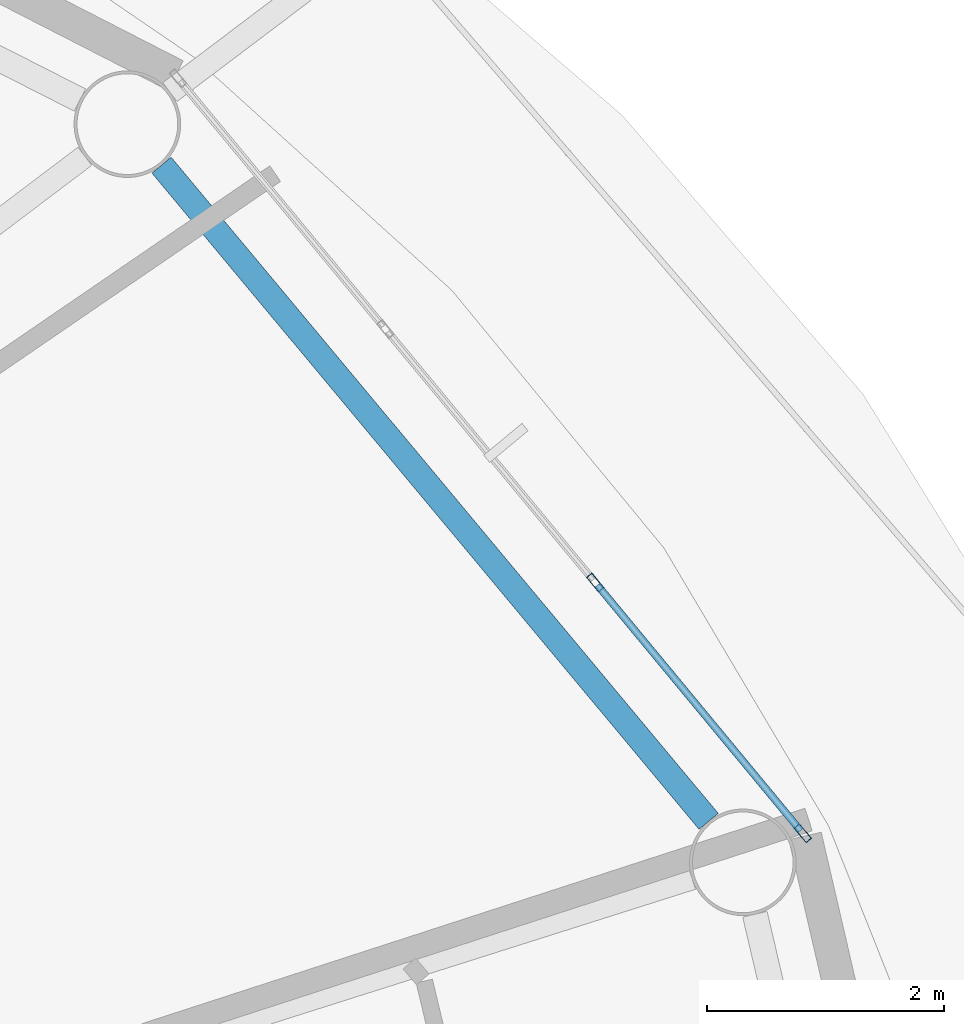
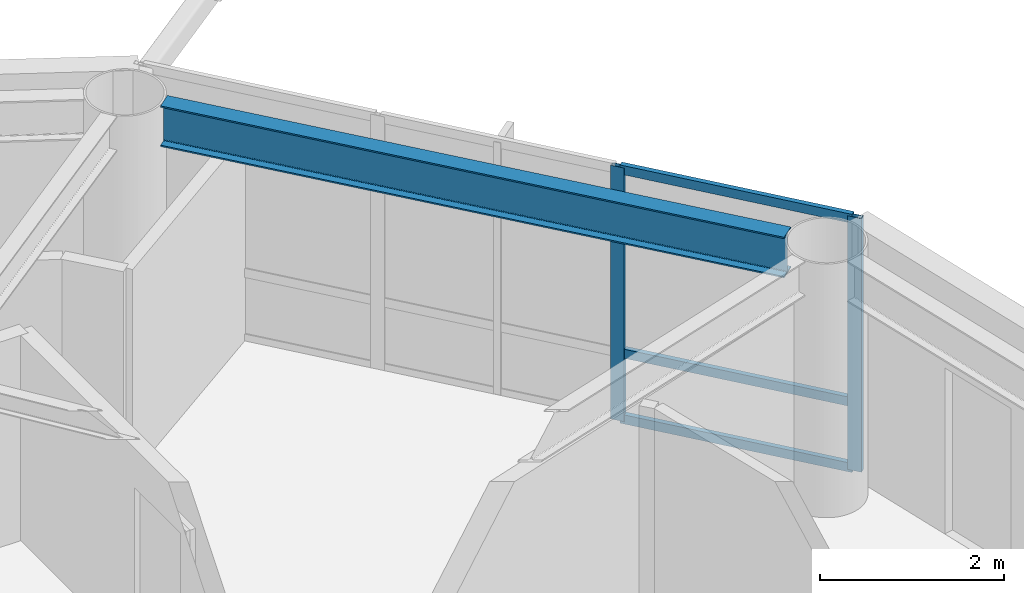
# One storey, part 7 of 23: 5 members, 1 beam, 1 element without a shape of its own.
"""IFC4 building model written with IfcOpenShell, lengths in metres."""

from ifc_helpers import new_model, si_unit, direction, frame, origin, origin_2d, place, context, subcontext, project, spatial, hollow_rectangle, i_section, extrude, material, layer, layer_set, material_profile, profile_set, type_object, element, aggregate, save


model = new_model("IFC4")

# Units and contexts
model_context = context("Model", 3, precision=1e-05, world=origin(), true_north=direction((0.0, 1.0)))
body_context = subcontext(model_context, "Body", "Model", "MODEL_VIEW")
ifc_project = project(units=[si_unit("LENGTHUNIT", "METRE"), si_unit("AREAUNIT", "SQUARE_METRE"), si_unit("VOLUMEUNIT", "CUBIC_METRE"), si_unit("PLANEANGLEUNIT", "RADIAN"), si_unit("MASSUNIT", "GRAM", prefix="KILO")], contexts=[model_context])

# Site, building, storey
site_placement = place(None, origin())
site = spatial("IfcSite", under=ifc_project, at=site_placement, CompositionType="ELEMENT")
building_placement = place(site_placement, origin())
building = spatial("IfcBuilding", under=site, at=building_placement, Name="Sarneth Arch Tower", CompositionType="ELEMENT")
storey_placement = place(building_placement, frame((0.0, 0.0, 217.199951171875)))
storey = spatial("IfcBuildingStorey", under=building, at=storey_placement, Name="L55", CompositionType="ELEMENT", Elevation=217.199951171875)

# Beam
ifc_material_1 = material(Name="Steel S355", Category="steel")
ifc_material_profile_1 = material_profile(ifc_material_1, i_section(OverallWidth=0.2109375, OverallDepth=0.5390625, WebThickness=0.01171875, FlangeThickness=0.018798828125, FilletRadius=0.01806640625, at=origin_2d()), Name="W530x109")
ifc_profile_set_1 = profile_set([ifc_material_profile_1], Name="Steel S355")
beam_type = type_object("IfcBeamType", Name="BM-RAD-530B", PredefinedType="BEAM", material=ifc_profile_set_1)
beam_placement = place(storey_placement, frame((70.880615234375, 49.693115234375, 3.090576171875), z_axis=(-0.640390876881, 0.768049168222, 0.0), x_axis=(-0.768049168222, -0.640390876881, 0.0)))
element("IfcBeam", 1, at=beam_placement, inside=storey, type_object=beam_type, Name="L55 Perimeter spandrel beam 02", PredefinedType="BEAM", context=body_context, shape_type="SweptSolid", body=[
    extrude(i_section(OverallWidth=0.2109375, OverallDepth=0.5390625, WebThickness=0.01171875, FlangeThickness=0.018798828125, FilletRadius=0.01806640625, at=origin_2d()), origin(), (0.0, 0.0, 1.0), 7.2099609375),
])

# Curtain wall, members
ifc_material_2 = material(Name="Anodised aluminium Type AA25 and solar-control low-e laminated IGU", Category="aluminium")
ifc_layer = layer(ifc_material_2, 0.179931640625)
ifc_layer_set = layer_set([ifc_layer], Name="Anodised aluminium Type AA25 and solar-control low-e laminated IGU")
curtain_wall_type = type_object("IfcCurtainWallType", Name="CW-RES-HIGH", PredefinedType="NOTDEFINED", material=ifc_layer_set)
curtain_wall_placement = place(storey_placement, origin())
curtain_wall = element("IfcCurtainWall", 2, at=curtain_wall_placement, inside=storey, type_object=curtain_wall_type, Name="L55 Unitised curtain wall facet 02", PredefinedType="NOTDEFINED")
ifc_material_3 = material(Name="Anodised Aluminium 6063-T6", Category="aluminium")
ifc_material_profile_2 = material_profile(ifc_material_3, hollow_rectangle(XDim=0.06005859375, YDim=0.159912109375, WallThickness=0.00390625, at=origin_2d()), Name="AL-MULL-160x60x4")
ifc_profile_set_2 = profile_set([ifc_material_profile_2], Name="Anodised Aluminium 6063-T6")
member_type_1 = type_object("IfcMemberType", Name="CW-MULLION", PredefinedType="MULLION", material=ifc_profile_set_2)
member_1_placement = place(storey_placement, frame((71.674560546875, 49.592529296875, 0.0), z_axis=(0.0, 0.0, 1.0), x_axis=(-0.770359245933, -0.637610094184, 0.0)))
member_1 = element("IfcMember", 3, at=member_1_placement, type_object=member_type_1, Name="CW-SYS-6 mullion 1", PredefinedType="MULLION", context=body_context, shape_type="SweptSolid", body=[
    extrude(hollow_rectangle(XDim=0.06005859375, YDim=0.159912109375, WallThickness=0.00390625, at=origin_2d()), origin(), (0.0, 0.0, 1.0), 3.360107421875),
])
member_2_placement = place(storey_placement, frame((69.92333984375, 51.70849609375, 0.0), z_axis=(0.0, 0.0, 1.0), x_axis=(-0.770359245933, -0.637610094184, 0.0)))
member_2 = element("IfcMember", 4, at=member_2_placement, type_object=member_type_1, Name="CW-SYS-6 mullion 2", PredefinedType="MULLION", context=body_context, shape_type="SweptSolid", body=[
    extrude(hollow_rectangle(XDim=0.06005859375, YDim=0.159912109375, WallThickness=0.00390625, at=origin_2d()), origin(), (0.0, 0.0, 1.0), 3.360107421875),
])
ifc_material_4 = material(Name="Anodised Aluminium 6063-T6", Category="aluminium")
ifc_material_profile_3 = material_profile(ifc_material_4, hollow_rectangle(XDim=0.06005859375, YDim=0.1201171875, WallThickness=0.00390625, at=origin_2d()), Name="AL-TRAN-120x60x4")
ifc_profile_set_3 = profile_set([ifc_material_profile_3], Name="Anodised Aluminium 6063-T6")
member_type_2 = type_object("IfcMemberType", Name="CW-TRANSOM", PredefinedType="USERDEFINED", material=ifc_profile_set_3)
member_3_placement = place(storey_placement, frame((71.655517578125, 49.61572265625, 0.030029296875), z_axis=(-0.637651400067, 0.770325056059, 0.0), x_axis=(-0.770325056059, -0.637651400067, 0.0)))
member_3 = element("IfcMember", 5, at=member_3_placement, type_object=member_type_2, Name="CW-SYS-6 transom 1.1", ObjectType="TRANSOM", PredefinedType="USERDEFINED", context=body_context, shape_type="SweptSolid", body=[
    extrude(hollow_rectangle(XDim=0.06005859375, YDim=0.1201171875, WallThickness=0.00390625, at=origin_2d()), origin(), (0.0, 0.0, 1.0), 2.6865234375),
])
member_4_placement = place(storey_placement, frame((71.655517578125, 49.61572265625, 0.900146484375), z_axis=(-0.637651400067, 0.770325056059, 0.0), x_axis=(-0.770325056059, -0.637651400067, 0.0)))
member_4 = element("IfcMember", 6, at=member_4_placement, type_object=member_type_2, Name="CW-SYS-6 transom 1.2", ObjectType="TRANSOM", PredefinedType="USERDEFINED", context=body_context, shape_type="SweptSolid", body=[
    extrude(hollow_rectangle(XDim=0.06005859375, YDim=0.1201171875, WallThickness=0.00390625, at=origin_2d()), origin(), (0.0, 0.0, 1.0), 2.6865234375),
])
member_5_placement = place(storey_placement, frame((71.655517578125, 49.61572265625, 3.330078125), z_axis=(-0.637651400067, 0.770325056059, 0.0), x_axis=(-0.770325056059, -0.637651400067, 0.0)))
member_5 = element("IfcMember", 7, at=member_5_placement, type_object=member_type_2, Name="CW-SYS-6 transom 1.3", ObjectType="TRANSOM", PredefinedType="USERDEFINED", context=body_context, shape_type="SweptSolid", body=[
    extrude(hollow_rectangle(XDim=0.06005859375, YDim=0.1201171875, WallThickness=0.00390625, at=origin_2d()), origin(), (0.0, 0.0, 1.0), 2.6865234375),
])
aggregate(curtain_wall, [member_1, member_2, member_3, member_4, member_5])

save(model, "model.ifc")
